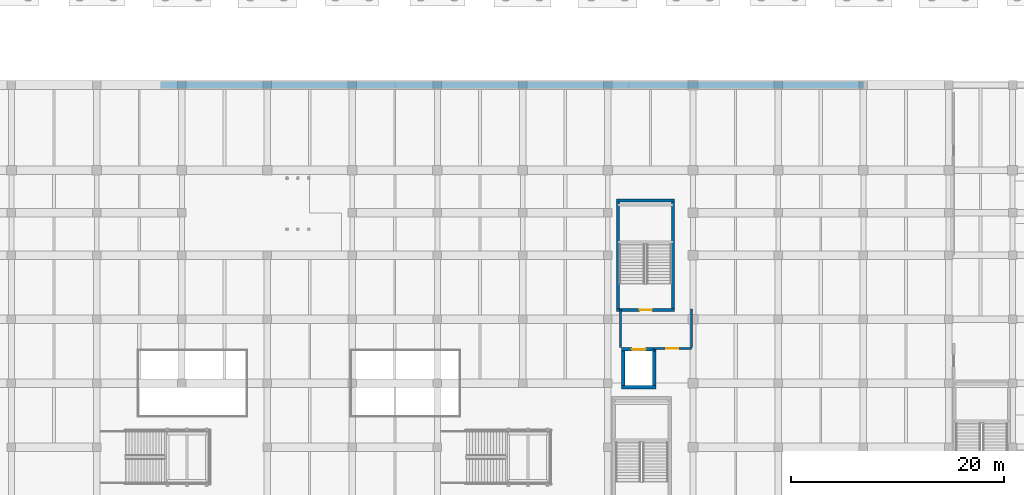
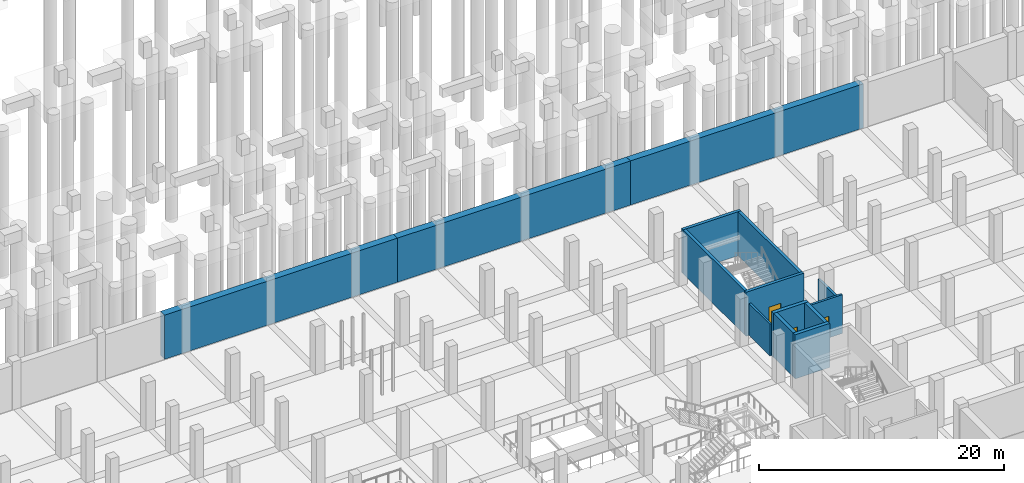
# One storey, part 23 of 36: 14 walls, 3 doors, 3 openings.
"""IFC4 building model written with IfcOpenShell, lengths in metres."""

from ifc_helpers import new_model, si_unit, direction, frame, frame_2d, origin, place, context, subcontext, project, spatial, rectangle, extrude, material, layer, layer_set, type_object, element, fill, save


model = new_model("IFC4")

# Units and contexts
model_context = context("Model", 3, precision=1e-05, world=origin(), true_north=direction((0.0, 1.0)))
body_context = subcontext(model_context, "Body", "Model", "MODEL_VIEW")
ifc_project = project(units=[si_unit("LENGTHUNIT", "METRE"), si_unit("AREAUNIT", "SQUARE_METRE"), si_unit("VOLUMEUNIT", "CUBIC_METRE"), si_unit("PLANEANGLEUNIT", "RADIAN"), si_unit("MASSUNIT", "GRAM", prefix="KILO")], contexts=[model_context])

# Site, building, storey
site_placement = place(None, origin())
site = spatial("IfcSite", under=ifc_project, at=site_placement, CompositionType="ELEMENT")
building_placement = place(site_placement, origin())
building = spatial("IfcBuilding", under=site, at=building_placement, Name="Verrall Gate Interchange", CompositionType="ELEMENT")
storey_placement = place(building_placement, frame((0.0, 0.0, -4.800048828125)))
storey = spatial("IfcBuildingStorey", under=building, at=storey_placement, Name="B1", CompositionType="ELEMENT", Elevation=-4.800048828125)

# Wall, opening, door
ifc_material_1 = material(Name="Fire-Rated Type X Gypsum Stud Partition Assembly (60 min)", Category="gypsum")
ifc_layer_1 = layer(ifc_material_1, 0.199951171875)
ifc_layer_set_1 = layer_set([ifc_layer_1], Name="Fire-Rated Type X Gypsum Stud Partition Assembly (60 min)")
wall_type_1 = type_object("IfcWallType", Name="IW-01 Interior Partition Wall 200", PredefinedType="PARTITIONING", material=ifc_layer_set_1)
wall_1_placement = place(storey_placement, frame((104.25, 31.25, 0.0), z_axis=(0.0, 0.0, 1.0), x_axis=(1.0, 0.0, 0.0)))
wall_1 = element("IfcWall", 1, at=wall_1_placement, inside=storey, type_object=wall_type_1, Name="B1 Core C7 Lobby South Rated Wall", PredefinedType="PARTITIONING", context=body_context, shape_type="SweptSolid", body=[
    extrude(rectangle(XDim=3.60009765625, YDim=0.199951171875, at=frame_2d((1.800048828125, 0.0))), origin(), (0.0, 0.0, 1.0), 3.8701171875),
])
opening_1_placement = place(wall_1_placement, frame((1.25, 0.0, 0.0)))
opening_1 = element("IfcOpeningElement", 2, at=opening_1_placement, cuts=wall_1, Name="Opening LBD084", PredefinedType="OPENING", context=body_context, shape_type="SweptSolid", body=[
    extrude(rectangle(XDim=1.10009765625, YDim=2.14990234375, at=frame_2d((0.550048828125, 1.074951171875))), frame((0.0, 0.11474609375, 0.0), z_axis=(0.0, -1.0, 0.0), x_axis=(1.0, 0.0, 0.0)), (0.0, 0.0, 1.0), 0.229736328125),
])
ifc_material_2 = material(Name="Hollow-Metal Fire-Rated Door Assembly", Category="metal")
door_type_1 = type_object("IfcDoorType", Name="ID-06 Interior Swing Door 1100x2150", OperationType="NOTDEFINED", PredefinedType="DOOR", material=ifc_material_2)
door_1_placement = place(opening_1_placement, origin())
door_1 = element("IfcDoor", 3, at=door_1_placement, inside=storey, type_object=door_type_1, Name="B1 Core C7 Lobby Fire Door LBD084", OperationType="SINGLE_SWING_RIGHT", OverallHeight=2.14990234375, OverallWidth=1.10009765625, PredefinedType="DOOR", context=body_context, shape_type="SweptSolid", body=[
    extrude(rectangle(XDim=1.10009765625, YDim=2.14990234375, at=frame_2d((0.550048828125, 1.074951171875))), frame((0.0, 0.02490234375, 0.0), z_axis=(0.0, -1.0, 0.0), x_axis=(1.0, 0.0, 0.0)), (0.0, 0.0, 1.0), 0.050048828125),
])
fill(opening_1, door_1)

# Walls
for number, where, z_axis, x_axis, name in (
    (4, (101.199951171875, 34.949951171875, 0.0), (0.0, 0.0, 1.0), (0.0, -1.0, 0.0), "B1 Core C7 Lobby West Rated Wall"),
    (5, (107.85009765625, 31.330078125, 0.0), (0.0, 0.0, 1.0), (0.0, 1.0, 0.0), "B1 Core C7 Lobby East Rated Wall"),
):
    element("IfcWall", number, at=place(storey_placement, frame(where, z_axis=z_axis, x_axis=x_axis)), inside=storey, type_object=wall_type_1, Name=name, PredefinedType="PARTITIONING", context=body_context, shape_type="SweptSolid", body=[
        extrude(rectangle(XDim=3.619873046875, YDim=0.199951171875, at=frame_2d((1.81005859375, 0.0))), origin(), (0.0, 0.0, 1.0), 3.179931640625),
    ])
ifc_material_3 = material(Name="Concrete CSA A23.1 35 MPa (Class S-2)", Category="concrete")
ifc_layer_2 = layer(ifc_material_3, 0.659912109375)
ifc_layer_set_2 = layer_set([ifc_layer_2], Name="Concrete CSA A23.1 35 MPa (Class S-2)")
wall_type_2 = type_object("IfcWallType", Name="RW-02 Diaphragm Retaining Wall 660", PredefinedType="USERDEFINED", material=ifc_layer_set_2)
for number, where, z_axis, x_axis, name in (
    (6, (124.0, 56.0, 0.0), (0.0, 0.0, 1.0), (-1.0, 0.0, 0.0), "B1 Diaphragm Retaining Wall 037"),
    (7, (102.0, 56.0, 0.0), (0.0, 0.0, 1.0), (-1.0, 0.0, 0.0), "B1 Diaphragm Retaining Wall 038"),
    (8, (80.0, 56.0, 0.0), (0.0, 0.0, 1.0), (-1.0, 0.0, 0.0), "B1 Diaphragm Retaining Wall 039"),
):
    element("IfcWall", number, at=place(storey_placement, frame(where, z_axis=z_axis, x_axis=x_axis)), inside=storey, type_object=wall_type_2, Name=name, ObjectType="RETAININGWALL", PredefinedType="USERDEFINED", context=body_context, shape_type="SweptSolid", body=[
        extrude(rectangle(XDim=22.0, YDim=0.659912109375, at=frame_2d((11.0, 0.0))), origin(), (0.0, 0.0, 1.0), 4.400146484375),
    ])
ifc_material_4 = material(Name="Concrete CSA A23.1 40 MPa (Class N)", Category="concrete")
ifc_layer_3 = layer(ifc_material_4, 0.340087890625)
ifc_layer_set_3 = layer_set([ifc_layer_3], Name="Concrete CSA A23.1 40 MPa (Class N)")
wall_type_3 = type_object("IfcWallType", Name="SW-02 Core Shear Wall 340", PredefinedType="SHEAR", material=ifc_layer_set_3)
wall_2_placement = place(storey_placement, frame((101.260009765625, 27.6298828125, 0.0), z_axis=(0.0, 0.0, 1.0), x_axis=(1.0, 0.0, 0.0)))
element("IfcWall", 9, at=wall_2_placement, inside=storey, type_object=wall_type_3, Name="B1 Elevator EL-05 South Shaft Wall", PredefinedType="SHEAR", context=body_context, shape_type="SweptSolid", body=[
    extrude(rectangle(XDim=3.280029296875, YDim=0.340087890625, at=frame_2d((1.64013671875, 0.0))), origin(), (0.0, 0.0, 1.0), 4.400146484375),
])

# Wall, opening, door
wall_3_placement = place(storey_placement, frame((104.5400390625, 31.169921875, 0.0), z_axis=(0.0, 0.0, 1.0), x_axis=(-1.0, 0.0, 0.0)))
wall_3 = element("IfcWall", 10, at=wall_3_placement, inside=storey, type_object=wall_type_3, Name="B1 Elevator EL-05 North Shaft Wall", PredefinedType="SHEAR", context=body_context, shape_type="SweptSolid", body=[
    extrude(rectangle(XDim=3.280029296875, YDim=0.340087890625, at=frame_2d((1.64013671875, 0.0))), origin(), (0.0, 0.0, 1.0), 4.400146484375),
])
opening_2_placement = place(wall_3_placement, frame((0.989990234375, 0.0, 0.0)))
opening_2 = element("IfcOpeningElement", 11, at=opening_2_placement, cuts=wall_3, Name="Opening LD-05-B1", PredefinedType="OPENING", context=body_context, shape_type="SweptSolid", body=[
    extrude(rectangle(XDim=1.300048828125, YDim=2.25, at=frame_2d((0.64990234375, 1.125))), frame((0.0, 0.18505859375, 0.0), z_axis=(0.0, -1.0, 0.0), x_axis=(1.0, 0.0, 0.0)), (0.0, 0.0, 1.0), 0.369873046875),
])
ifc_material_5 = material(Name="Stainless-Steel Elevator Landing Sliding Door Assembly", Category="steel")
door_type_2 = type_object("IfcDoorType", Name="LD-03 Elevator Sliding Landing Door 1300x2250", OperationType="NOTDEFINED", PredefinedType="DOOR", material=ifc_material_5)
door_2_placement = place(opening_2_placement, origin())
door_2 = element("IfcDoor", 12, at=door_2_placement, inside=storey, type_object=door_type_2, Name="B1 Elevator EL-05 Sliding Landing Door", OperationType="DOUBLE_DOOR_SLIDING", OverallHeight=2.25, OverallWidth=1.300048828125, PredefinedType="DOOR", context=body_context, shape_type="SweptSolid", body=[
    extrude(rectangle(XDim=1.300048828125, YDim=2.25, at=frame_2d((0.64990234375, 1.125))), frame((0.0, 0.02490234375, 0.0), z_axis=(0.0, -1.0, 0.0), x_axis=(1.0, 0.0, 0.0)), (0.0, 0.0, 1.0), 0.050048828125),
])
fill(opening_2, door_2)

# Walls
for number, where, z_axis, x_axis, name in (
    (13, (101.429931640625, 31.0, 0.0), (0.0, 0.0, 1.0), (0.0, -1.0, 0.0), "B1 Elevator EL-05 West Shaft Wall"),
    (14, (104.3701171875, 27.800048828125, 0.0), (0.0, 0.0, 1.0), (0.0, 1.0, 0.0), "B1 Elevator EL-05 East Shaft Wall"),
):
    element("IfcWall", number, at=place(storey_placement, frame(where, z_axis=z_axis, x_axis=x_axis)), inside=storey, type_object=wall_type_3, Name=name, PredefinedType="SHEAR", context=body_context, shape_type="SweptSolid", body=[
        extrude(rectangle(XDim=3.199951171875, YDim=0.340087890625, at=frame_2d((1.60009765625, 0.0))), origin(), (0.0, 0.0, 1.0), 4.400146484375),
    ])

# Wall, opening, door
ifc_material_6 = material(Name="Concrete CSA A23.1 40 MPa (Class N)", Category="concrete")
ifc_layer_4 = layer(ifc_material_6, 0.280029296875)
ifc_layer_set_4 = layer_set([ifc_layer_4], Name="Concrete CSA A23.1 40 MPa (Class N)")
wall_type_4 = type_object("IfcWallType", Name="SW-03 Core Shear Wall 280", PredefinedType="SHEAR", material=ifc_layer_set_4)
wall_4_placement = place(storey_placement, frame((100.820068359375, 34.860107421875, 0.0), z_axis=(0.0, 0.0, 1.0), x_axis=(1.0, 0.0, 0.0)))
wall_4 = element("IfcWall", 15, at=wall_4_placement, inside=storey, type_object=wall_type_4, Name="B1 Core C7 South Shear Wall", PredefinedType="SHEAR", context=body_context, shape_type="SweptSolid", body=[
    extrude(rectangle(XDim=5.4599609375, YDim=0.280029296875, at=frame_2d((2.72998046875, 0.0))), origin(), (0.0, 0.0, 1.0), 4.400146484375),
])
opening_3_placement = place(wall_4_placement, frame((2.155029296875, 0.0, 0.0)))
opening_3 = element("IfcOpeningElement", 16, at=opening_3_placement, cuts=wall_4, Name="Opening SD080", PredefinedType="OPENING", context=body_context, shape_type="SweptSolid", body=[
    extrude(rectangle(XDim=1.14990234375, YDim=2.14990234375, at=frame_2d((0.574951171875, 1.074951171875))), frame((0.0, 0.15478515625, 0.0), z_axis=(0.0, -1.0, 0.0), x_axis=(1.0, 0.0, 0.0)), (0.0, 0.0, 1.0), 0.309814453125),
])
ifc_material_7 = material(Name="Hollow-Metal Fire-Rated Door Assembly", Category="metal")
door_type_3 = type_object("IfcDoorType", Name="ID-02 Interior Swing Door 1150x2150", OperationType="NOTDEFINED", PredefinedType="DOOR", material=ifc_material_7)
door_3_placement = place(opening_3_placement, origin())
door_3 = element("IfcDoor", 17, at=door_3_placement, inside=storey, type_object=door_type_3, Name="B1 Stair ST-07 Fire Door SD080", OperationType="SINGLE_SWING_RIGHT", OverallHeight=2.14990234375, OverallWidth=1.14990234375, PredefinedType="DOOR", context=body_context, shape_type="SweptSolid", body=[
    extrude(rectangle(XDim=1.14990234375, YDim=2.14990234375, at=frame_2d((0.574951171875, 1.074951171875))), frame((0.0, 0.02490234375, 0.0), z_axis=(0.0, -1.0, 0.0), x_axis=(1.0, 0.0, 0.0)), (0.0, 0.0, 1.0), 0.050048828125),
])
fill(opening_3, door_3)

# Walls
wall_5_placement = place(storey_placement, frame((106.280029296875, 45.139892578125, 0.0), z_axis=(0.0, 0.0, 1.0), x_axis=(-1.0, 0.0, 0.0)))
element("IfcWall", 18, at=wall_5_placement, inside=storey, type_object=wall_type_4, Name="B1 Core C7 North Shear Wall", PredefinedType="SHEAR", context=body_context, shape_type="SweptSolid", body=[
    extrude(rectangle(XDim=5.4599609375, YDim=0.280029296875, at=frame_2d((2.72998046875, 0.0))), origin(), (0.0, 0.0, 1.0), 4.400146484375),
])
for number, where, z_axis, x_axis, name in (
    (19, (100.9599609375, 45.0, 0.0), (0.0, 0.0, 1.0), (0.0, -1.0, 0.0), "B1 Core C7 West Shear Wall"),
    (20, (106.139892578125, 35.0, 0.0), (0.0, 0.0, 1.0), (0.0, 1.0, 0.0), "B1 Core C7 East Shear Wall"),
):
    element("IfcWall", number, at=place(storey_placement, frame(where, z_axis=z_axis, x_axis=x_axis)), inside=storey, type_object=wall_type_4, Name=name, PredefinedType="SHEAR", context=body_context, shape_type="SweptSolid", body=[
        extrude(rectangle(XDim=10.0, YDim=0.280029296875, at=frame_2d((5.0, 0.0))), origin(), (0.0, 0.0, 1.0), 4.400146484375),
    ])

save(model, "model.ifc")
